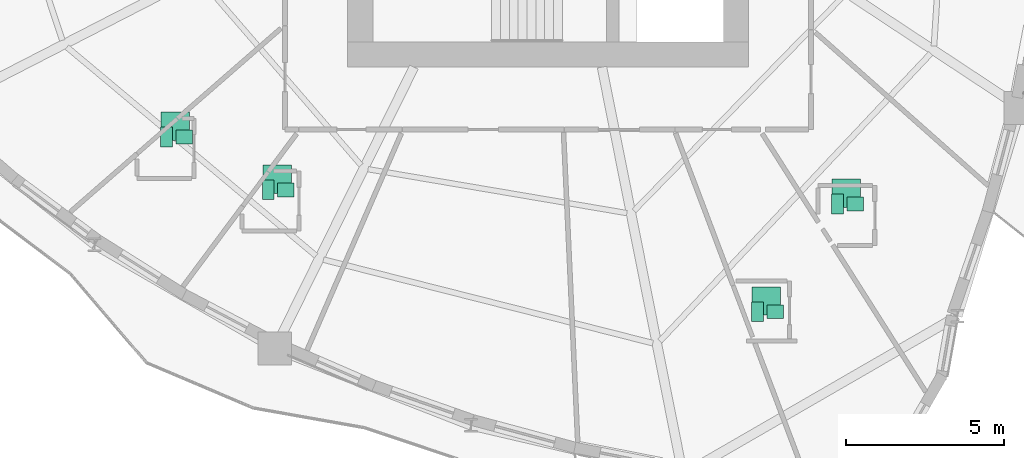
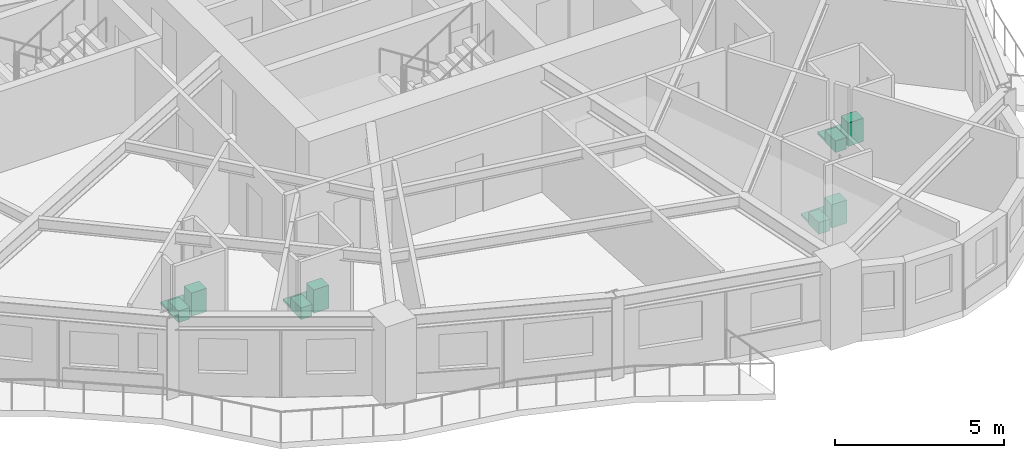
# One storey, part 14 of 14: 12 sanitary terminals.
"""IFC4 building model written with IfcOpenShell, lengths in metres."""

from ifc_helpers import new_model, si_unit, direction, frame, origin, origin_2d, place, context, subcontext, project, spatial, rectangle, extrude, source, transform, mapped, material, type_object, element, save


model = new_model("IFC4")

# Units and contexts
model_context = context("Model", 3, precision=1e-05, world=origin(), true_north=direction((0.0, 1.0)))
body_context = subcontext(model_context, "Body", "Model", "MODEL_VIEW")
ifc_project = project(units=[si_unit("LENGTHUNIT", "METRE"), si_unit("AREAUNIT", "SQUARE_METRE"), si_unit("VOLUMEUNIT", "CUBIC_METRE"), si_unit("PLANEANGLEUNIT", "RADIAN"), si_unit("MASSUNIT", "GRAM", prefix="KILO")], contexts=[model_context])

# Site, building, storey
site_placement = place(None, origin())
site = spatial("IfcSite", under=ifc_project, at=site_placement, CompositionType="ELEMENT")
building_placement = place(site_placement, origin())
building = spatial("IfcBuilding", under=site, at=building_placement, Name="Qafzar Sky-Pleat Residences", CompositionType="ELEMENT")
storey_placement = place(building_placement, frame((0.0, 0.0, 39.800048828125)))
storey = spatial("IfcBuildingStorey", under=building, at=storey_placement, Name="L11", CompositionType="ELEMENT", Elevation=39.800048828125)

# Sanitary terminals
ifc_material_1 = material(Name="Vitreous china sanitaryware")
sanitary_terminal_type_1 = type_object("IfcSanitaryTerminalType", Name="SAN-WC-PAN", PredefinedType="TOILETPAN", material=ifc_material_1)
shared_shape_1 = source(origin(), body_context, "Body", "SweptSolid", [
    extrude(rectangle(XDim=0.3798828125, YDim=0.6201171875, at=origin_2d()), origin(), (0.0, 0.0, 1.0), 0.419921875),
])
for number, where, z_axis, x_axis, name in (
    (1, (18.264892578125, 15.185302734375, 0.0), (0.0, 0.0, 1.0), (1.0, 0.0, 0.0), "L11 En-suite Bathroom 1 WC Pan"),
    (2, (21.485595703125, 13.51025390625, 0.0), (0.0, 0.0, 1.0), (1.0, 0.0, 0.0), "L11 En-suite Bathroom 2 WC Pan"),
    (3, (36.9794921875, 9.652099609375, 0.0), (0.0, 0.0, 1.0), (1.0, 0.0, 0.0), "L11 En-suite Bathroom 3 WC Pan"),
    (4, (39.51708984375, 13.06298828125, 0.0), (0.0, 0.0, 1.0), (1.0, 0.0, 0.0), "L11 En-suite Bathroom 4 WC Pan"),
):
    element("IfcSanitaryTerminal", number, at=place(storey_placement, frame(where, z_axis=z_axis, x_axis=x_axis)), inside=storey, type_object=sanitary_terminal_type_1, Name=name, PredefinedType="TOILETPAN", context=body_context, shape_type="MappedRepresentation", body=[
        mapped(shared_shape_1, transform((0.0, 0.0, 0.0), x_axis=(1.0, 0.0, 0.0), y_axis=(0.0, 1.0, 0.0), z_axis=(0.0, 0.0, 1.0), scale=1.0)),
    ])
sanitary_terminal_type_2 = type_object("IfcSanitaryTerminalType", Name="SAN-BASIN", PredefinedType="WASHHANDBASIN", material=ifc_material_1)
shared_shape_2 = source(origin(), body_context, "Body", "SweptSolid", [
    extrude(rectangle(XDim=0.52001953125, YDim=0.43994140625, at=origin_2d()), origin(), (0.0, 0.0, 1.0), 0.840087890625),
])
for number, where, z_axis, x_axis, name in (
    (5, (18.82470703125, 15.185302734375, 0.0), (0.0, 0.0, 1.0), (1.0, 0.0, 0.0), "L11 En-suite Bathroom 1 Pedestal Washbasin"),
    (6, (22.045654296875, 13.51025390625, 0.0), (0.0, 0.0, 1.0), (1.0, 0.0, 0.0), "L11 En-suite Bathroom 2 Pedestal Washbasin"),
    (7, (37.53955078125, 9.652099609375, 0.0), (0.0, 0.0, 1.0), (1.0, 0.0, 0.0), "L11 En-suite Bathroom 3 Pedestal Washbasin"),
    (8, (40.076904296875, 13.06298828125, 0.0), (0.0, 0.0, 1.0), (1.0, 0.0, 0.0), "L11 En-suite Bathroom 4 Pedestal Washbasin"),
):
    element("IfcSanitaryTerminal", number, at=place(storey_placement, frame(where, z_axis=z_axis, x_axis=x_axis)), inside=storey, type_object=sanitary_terminal_type_2, Name=name, PredefinedType="WASHHANDBASIN", context=body_context, shape_type="MappedRepresentation", body=[
        mapped(shared_shape_2, transform((0.0, 0.0, 0.0), x_axis=(1.0, 0.0, 0.0), y_axis=(0.0, 1.0, 0.0), z_axis=(0.0, 0.0, 1.0), scale=1.0)),
    ])
ifc_material_2 = material(Name="Vitreous china and acrylic tray")
sanitary_terminal_type_3 = type_object("IfcSanitaryTerminalType", Name="SAN-SHOWER", PredefinedType="SHOWER", material=ifc_material_2)
shared_shape_3 = source(origin(), body_context, "Body", "SweptSolid", [
    extrude(rectangle(XDim=0.89990234375, YDim=0.89990234375, at=origin_2d()), origin(), (0.0, 0.0, 1.0), 0.080078125),
])
for number, where, z_axis, x_axis, name in (
    (9, (18.544921875, 15.525390625, 0.0), (0.0, 0.0, 1.0), (1.0, 0.0, 0.0), "L11 En-suite Bathroom 1 Walk-In Shower"),
    (10, (21.765625, 13.85009765625, 0.0), (0.0, 0.0, 1.0), (1.0, 0.0, 0.0), "L11 En-suite Bathroom 2 Walk-In Shower"),
    (11, (37.259521484375, 9.9921875, 0.0), (0.0, 0.0, 1.0), (1.0, 0.0, 0.0), "L11 En-suite Bathroom 3 Walk-In Shower"),
    (12, (39.797119140625, 13.403076171875, 0.0), (0.0, 0.0, 1.0), (1.0, 0.0, 0.0), "L11 En-suite Bathroom 4 Walk-In Shower"),
):
    element("IfcSanitaryTerminal", number, at=place(storey_placement, frame(where, z_axis=z_axis, x_axis=x_axis)), inside=storey, type_object=sanitary_terminal_type_3, Name=name, PredefinedType="SHOWER", context=body_context, shape_type="MappedRepresentation", body=[
        mapped(shared_shape_3, transform((0.0, 0.0, 0.0), x_axis=(1.0, 0.0, 0.0), y_axis=(0.0, 1.0, 0.0), z_axis=(0.0, 0.0, 1.0), scale=1.0)),
    ])

save(model, "model.ifc")
